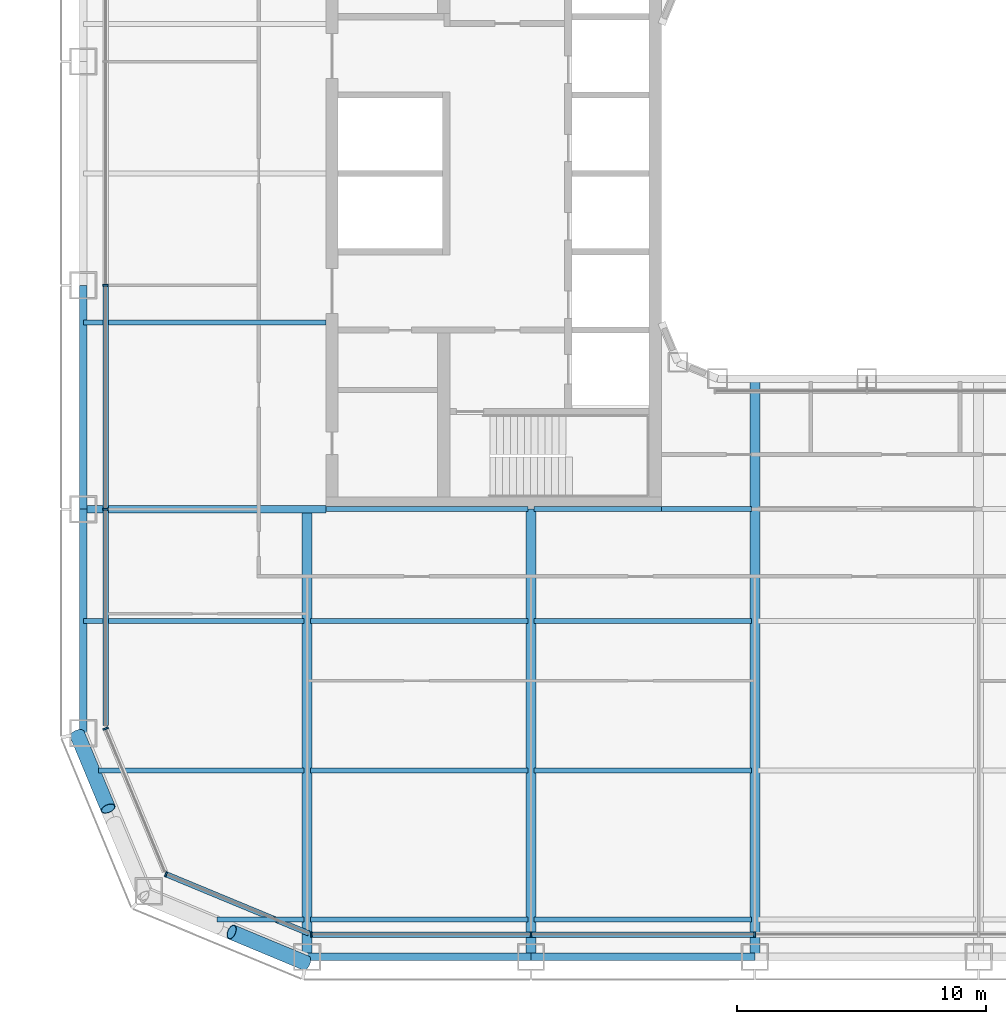
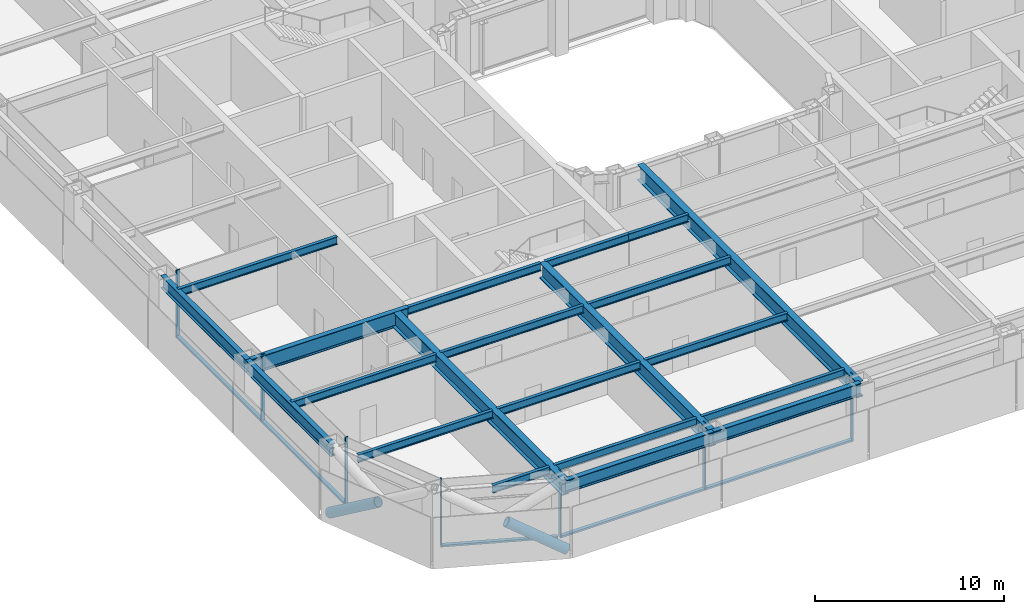
# One storey, part 2 of 28: 21 beams, 14 members, 4 elements without a shape of their own.
"""IFC4 building model written with IfcOpenShell, lengths in metres."""

from ifc_helpers import new_model, si_unit, direction, frame, origin, origin_2d, place, context, subcontext, project, spatial, rectangle, hollow_circle, i_section, extrude, material, layer, layer_set, material_profile, profile_set, type_object, element, aggregate, save


model = new_model("IFC4")

# Units and contexts
model_context = context("Model", 3, precision=1e-05, world=origin(), true_north=direction((0.0, 1.0)))
body_context = subcontext(model_context, "Body", "Model", "MODEL_VIEW")
ifc_project = project(units=[si_unit("LENGTHUNIT", "METRE"), si_unit("AREAUNIT", "SQUARE_METRE"), si_unit("VOLUMEUNIT", "CUBIC_METRE"), si_unit("PLANEANGLEUNIT", "RADIAN"), si_unit("MASSUNIT", "GRAM", prefix="KILO")], contexts=[model_context])

# Site, building, storey
site_placement = place(None, origin())
site = spatial("IfcSite", under=ifc_project, at=site_placement, CompositionType="ELEMENT")
building_placement = place(site_placement, origin())
building = spatial("IfcBuilding", under=site, at=building_placement, Name="Siwar Civic Tower", CompositionType="ELEMENT")
storey_placement = place(building_placement, frame((0.0, 0.0, 31.199951171875)))
storey = spatial("IfcBuildingStorey", under=building, at=storey_placement, Name="L06", CompositionType="ELEMENT", Elevation=31.199951171875)

# Curtain wall, members
ifc_material_1 = material(Name="Aluminium and glass", Category="aluminium")
ifc_layer_1 = layer(ifc_material_1, 0.219970703125)
ifc_layer_set_1 = layer_set([ifc_layer_1], Name="Aluminium and glass")
curtain_wall_type_1 = type_object("IfcCurtainWallType", Name="ENV-CW-A", PredefinedType="NOTDEFINED", material=ifc_layer_set_1)
curtain_wall_1_placement = place(storey_placement, origin())
curtain_wall_1 = element("IfcCurtainWall", 1, at=curtain_wall_1_placement, inside=storey, type_object=curtain_wall_type_1, Name="Curtain wall A S", PredefinedType="NOTDEFINED")
ifc_material_2 = material(Name="Aluminium 6063-T6", Category="aluminium")
ifc_material_profile_1 = material_profile(ifc_material_2, rectangle(XDim=0.219970703125, YDim=0.070068359375, at=origin_2d()), Name="AL 220x70")
ifc_profile_set_1 = profile_set([ifc_material_profile_1], Name="Aluminium 6063-T6")
member_type_1 = type_object("IfcMemberType", Name="ENV-MULLION-A", PredefinedType="MULLION", material=ifc_profile_set_1)
member_1_placement = place(storey_placement, frame((-22.321044921875, -30.60009765625, 0.0), z_axis=(0.0, 0.0, 1.0), x_axis=(0.0, 1.0, 0.0)))
member_1 = element("IfcMember", 2, at=member_1_placement, type_object=member_type_1, Name="Mullion A S 1", PredefinedType="MULLION", context=body_context, shape_type="SweptSolid", body=[
    extrude(rectangle(XDim=0.219970703125, YDim=0.070068359375, at=origin_2d()), origin(), (0.0, 0.0, 1.0), 4.35009765625),
])
member_2_placement = place(storey_placement, frame((-13.5, -30.60009765625, 0.0), z_axis=(0.0, 0.0, 1.0), x_axis=(0.0, 1.0, 0.0)))
member_2 = element("IfcMember", 3, at=member_2_placement, type_object=member_type_1, Name="Mullion A S 2", PredefinedType="MULLION", context=body_context, shape_type="SweptSolid", body=[
    extrude(rectangle(XDim=0.219970703125, YDim=0.070068359375, at=origin_2d()), origin(), (0.0, 0.0, 1.0), 4.35009765625),
])
member_3_placement = place(storey_placement, frame((-4.5, -30.60009765625, 0.0), z_axis=(0.0, 0.0, 1.0), x_axis=(0.0, 1.0, 0.0)))
member_3 = element("IfcMember", 4, at=member_3_placement, type_object=member_type_1, Name="Mullion A S 3", PredefinedType="MULLION", context=body_context, shape_type="SweptSolid", body=[
    extrude(rectangle(XDim=0.219970703125, YDim=0.070068359375, at=origin_2d()), origin(), (0.0, 0.0, 1.0), 4.35009765625),
])

curtain_wall_2_placement = place(storey_placement, origin())
curtain_wall_2 = element("IfcCurtainWall", 5, at=curtain_wall_2_placement, inside=storey, type_object=curtain_wall_type_1, Name="Curtain wall A W", PredefinedType="NOTDEFINED")
member_4_placement = place(storey_placement, frame((-30.60009765625, -4.5, 0.0), z_axis=(0.0, 0.0, 1.0), x_axis=(1.0, 0.0, 0.0)))
member_4 = element("IfcMember", 6, at=member_4_placement, type_object=member_type_1, Name="Mullion A W 4", PredefinedType="MULLION", context=body_context, shape_type="SweptSolid", body=[
    extrude(rectangle(XDim=0.219970703125, YDim=0.070068359375, at=origin_2d()), origin(), (0.0, 0.0, 1.0), 4.35009765625),
])
member_5_placement = place(storey_placement, frame((-30.60009765625, -13.5, 0.0), z_axis=(0.0, 0.0, 1.0), x_axis=(1.0, 0.0, 0.0)))
member_5 = element("IfcMember", 7, at=member_5_placement, type_object=member_type_1, Name="Mullion A W 5", PredefinedType="MULLION", context=body_context, shape_type="SweptSolid", body=[
    extrude(rectangle(XDim=0.219970703125, YDim=0.070068359375, at=origin_2d()), origin(), (0.0, 0.0, 1.0), 4.35009765625),
])

# Curtain wall, member
ifc_material_3 = material(Name="Aluminium clad insulated panel", Category="aluminium")
ifc_layer_2 = layer(ifc_material_3, 0.219970703125)
ifc_layer_set_2 = layer_set([ifc_layer_2], Name="Aluminium clad insulated panel")
curtain_wall_type_2 = type_object("IfcCurtainWallType", Name="ENV-CW-AX", PredefinedType="NOTDEFINED", material=ifc_layer_set_2)
curtain_wall_3_placement = place(storey_placement, origin())
curtain_wall_3 = element("IfcCurtainWall", 8, at=curtain_wall_3_placement, inside=storey, type_object=curtain_wall_type_2, Name="Curtain wall A SW1", PredefinedType="NOTDEFINED")
member_6_placement = place(storey_placement, frame((-30.60009765625, -22.321044921875, 0.0), z_axis=(0.0, 0.0, 1.0), x_axis=(0.923879532511, 0.382683432365, 0.0)))
member_6 = element("IfcMember", 9, at=member_6_placement, type_object=member_type_1, Name="Mullion A SW1 1", PredefinedType="MULLION", context=body_context, shape_type="SweptSolid", body=[
    extrude(rectangle(XDim=0.219970703125, YDim=0.070068359375, at=origin_2d()), origin(), (0.0, 0.0, 1.0), 4.35009765625),
])
aggregate(curtain_wall_3, [member_6])

curtain_wall_4_placement = place(storey_placement, origin())
curtain_wall_4 = element("IfcCurtainWall", 10, at=curtain_wall_4_placement, inside=storey, type_object=curtain_wall_type_2, Name="Curtain wall A SW2", PredefinedType="NOTDEFINED")
member_7_placement = place(storey_placement, frame((-28.175048828125, -28.175048828125, 0.0), z_axis=(0.0, 0.0, 1.0), x_axis=(0.382683432365, 0.923879532511, 0.0)))
member_7 = element("IfcMember", 11, at=member_7_placement, type_object=member_type_1, Name="Mullion A SW2 1", PredefinedType="MULLION", context=body_context, shape_type="SweptSolid", body=[
    extrude(rectangle(XDim=0.219970703125, YDim=0.070068359375, at=origin_2d()), origin(), (0.0, 0.0, 1.0), 4.35009765625),
])

# Member
ifc_material_4 = material(Name="Aluminium 6063-T6", Category="aluminium")
ifc_material_profile_2 = material_profile(ifc_material_4, rectangle(XDim=0.219970703125, YDim=0.1201171875, at=origin_2d()), Name="AL 220x120")
ifc_profile_set_2 = profile_set([ifc_material_profile_2], Name="Aluminium 6063-T6")
member_type_2 = type_object("IfcMemberType", Name="ENV-TRANSOM-A", PredefinedType="USERDEFINED", material=ifc_profile_set_2)
member_8_placement = place(storey_placement, frame((-22.285888671875, -30.60009765625, 0.06005859375), z_axis=(1.0, 0.0, 0.0), x_axis=(0.0, 1.0, 0.0)))
member_8 = element("IfcMember", 12, at=member_8_placement, type_object=member_type_2, Name="Transom A S 1", ObjectType="TRANSOM", PredefinedType="USERDEFINED", context=body_context, shape_type="SweptSolid", body=[
    extrude(rectangle(XDim=0.219970703125, YDim=0.1201171875, at=origin_2d()), origin(), (0.0, 0.0, 1.0), 8.7509765625),
])

member_9_placement = place(storey_placement, frame((-13.465087890625, -30.60009765625, 0.06005859375), z_axis=(1.0, 0.0, 0.0), x_axis=(0.0, 1.0, 0.0)))
member_9 = element("IfcMember", 13, at=member_9_placement, type_object=member_type_2, Name="Transom A S 2", ObjectType="TRANSOM", PredefinedType="USERDEFINED", context=body_context, shape_type="SweptSolid", body=[
    extrude(rectangle(XDim=0.219970703125, YDim=0.1201171875, at=origin_2d()), origin(), (0.0, 0.0, 1.0), 8.93017578125),
])

aggregate(curtain_wall_1, [member_1, member_2, member_3, member_8, member_9])

member_10_placement = place(storey_placement, frame((-30.60009765625, -4.534912109375, 0.06005859375), z_axis=(0.0, -1.0, 0.0), x_axis=(1.0, 0.0, 0.0)))
member_10 = element("IfcMember", 14, at=member_10_placement, type_object=member_type_2, Name="Transom A W 4", ObjectType="TRANSOM", PredefinedType="USERDEFINED", context=body_context, shape_type="SweptSolid", body=[
    extrude(rectangle(XDim=0.219970703125, YDim=0.1201171875, at=origin_2d()), origin(), (0.0, 0.0, 1.0), 8.93017578125),
])

member_11_placement = place(storey_placement, frame((-30.60009765625, -13.534912109375, 0.06005859375), z_axis=(0.0, -1.0, 0.0), x_axis=(1.0, 0.0, 0.0)))
member_11 = element("IfcMember", 15, at=member_11_placement, type_object=member_type_2, Name="Transom A W 5", ObjectType="TRANSOM", PredefinedType="USERDEFINED", context=body_context, shape_type="SweptSolid", body=[
    extrude(rectangle(XDim=0.219970703125, YDim=0.1201171875, at=origin_2d()), origin(), (0.0, 0.0, 1.0), 8.66357421875),
])

aggregate(curtain_wall_2, [member_4, member_5, member_10, member_11])

member_12_placement = place(storey_placement, frame((-28.142822265625, -28.1884765625, 0.06005859375), z_axis=(0.923873326341, -0.382698415042, 0.0), x_axis=(0.382698415042, 0.923873326341, 0.0)))
member_12 = element("IfcMember", 16, at=member_12_placement, type_object=member_type_2, Name="Transom A SW2 1", ObjectType="TRANSOM", PredefinedType="USERDEFINED", context=body_context, shape_type="SweptSolid", body=[
    extrude(rectangle(XDim=0.219970703125, YDim=0.1201171875, at=origin_2d()), origin(), (0.0, 0.0, 1.0), 6.17919921875),
])

aggregate(curtain_wall_4, [member_7, member_12])

# Members
ifc_material_5 = material(Name="Steel S355", Category="steel")
ifc_material_profile_3 = material_profile(ifc_material_5, hollow_circle(Radius=0.304931640625, WallThickness=0.030029296875, at=origin_2d()), Name="CHS610x30")
ifc_profile_set_3 = profile_set([ifc_material_profile_3], Name="Steel S355")
member_type_3 = type_object("IfcMemberType", Name="STR-BR-CHS610x30", PredefinedType="BRACE", material=ifc_profile_set_3)
for number, where, z_axis, x_axis, name in (
    (17, (-22.548828125, -31.7451171875, 0.0), (-0.777533059308, 0.323882123145, 0.539020140617), (-0.384524353215, -0.923114847559, 0.0), "L06/brc/ASW1-5-0-2"),
    (18, (-31.7451171875, -22.548828125, 0.0), (0.323882123145, -0.777533059308, 0.539020140617), (0.923114847559, 0.384524353215, 0.0), "L06/brc/ASW1-5-0-4"),
):
    element("IfcMember", number, at=place(storey_placement, frame(where, z_axis=z_axis, x_axis=x_axis)), inside=storey, type_object=member_type_3, Name=name, PredefinedType="BRACE", context=body_context, shape_type="SweptSolid", body=[
        extrude(hollow_circle(Radius=0.304931640625, WallThickness=0.030029296875, at=origin_2d()), origin(), (0.0, 0.0, 1.0), 3.843505859375),
    ])

# Beams
ifc_material_6 = material(Name="Steel S355", Category="steel")
ifc_material_profile_4 = material_profile(ifc_material_6, i_section(OverallWidth=0.199951171875, OverallDepth=0.5, WebThickness=0.01025390625, FlangeThickness=0.01611328125, FilletRadius=0.02099609375, at=origin_2d()), Name="IPE500")
ifc_profile_set_4 = profile_set([ifc_material_profile_4], Name="Steel S355")
beam_type_1 = type_object("IfcBeamType", Name="STR-FB-IPE500", PredefinedType="JOIST", material=ifc_profile_set_4)
beam_1_placement = place(storey_placement, frame((-26.121337890625, -30.0, 4.10009765625), z_axis=(1.0, 0.0, 0.0), x_axis=(0.0, 1.0, 0.0)))
element("IfcBeam", 19, at=beam_1_placement, inside=storey, type_object=beam_type_1, Name="L06/bm/F001", PredefinedType="JOIST", context=body_context, shape_type="SweptSolid", body=[
    extrude(i_section(OverallWidth=0.199951171875, OverallDepth=0.5, WebThickness=0.01025390625, FlangeThickness=0.01611328125, FilletRadius=0.02099609375, at=origin_2d()), origin(), (0.0, 0.0, 1.0), 3.491455078125),
])
for number, where, z_axis, x_axis, name in (
    (20, (-22.3701171875, -30.0, 4.10009765625), (1.0, 0.0, 0.0), (0.0, 1.0, 0.0), "L06/bm/F002"),
    (21, (-13.3701171875, -30.0, 4.10009765625), (1.0, 0.0, 0.0), (0.0, 1.0, 0.0), "L06/bm/F003"),
):
    element("IfcBeam", number, at=place(storey_placement, frame(where, z_axis=z_axis, x_axis=x_axis)), inside=storey, type_object=beam_type_1, Name=name, PredefinedType="JOIST", context=body_context, shape_type="SweptSolid", body=[
        extrude(i_section(OverallWidth=0.199951171875, OverallDepth=0.5, WebThickness=0.01025390625, FlangeThickness=0.01611328125, FilletRadius=0.02099609375, at=origin_2d()), origin(), (0.0, 0.0, 1.0), 8.740234375),
    ])
beam_2_placement = place(storey_placement, frame((-30.878662109375, -24.0, 4.10009765625), z_axis=(1.0, 0.0, 0.0), x_axis=(0.0, 1.0, 0.0)))
element("IfcBeam", 22, at=beam_2_placement, inside=storey, type_object=beam_type_1, Name="L06/bm/F008", PredefinedType="JOIST", context=body_context, shape_type="SweptSolid", body=[
    extrude(i_section(OverallWidth=0.199951171875, OverallDepth=0.5, WebThickness=0.01025390625, FlangeThickness=0.01611328125, FilletRadius=0.02099609375, at=origin_2d()), origin(), (0.0, 0.0, 1.0), 8.248779296875),
])
for number, where, z_axis, x_axis, name in (
    (23, (-22.3701171875, -24.0, 4.10009765625), (1.0, 0.0, 0.0), (0.0, 1.0, 0.0), "L06/bm/F009"),
    (24, (-13.3701171875, -24.0, 4.10009765625), (1.0, 0.0, 0.0), (0.0, 1.0, 0.0), "L06/bm/F010"),
):
    element("IfcBeam", number, at=place(storey_placement, frame(where, z_axis=z_axis, x_axis=x_axis)), inside=storey, type_object=beam_type_1, Name=name, PredefinedType="JOIST", context=body_context, shape_type="SweptSolid", body=[
        extrude(i_section(OverallWidth=0.199951171875, OverallDepth=0.5, WebThickness=0.01025390625, FlangeThickness=0.01611328125, FilletRadius=0.02099609375, at=origin_2d()), origin(), (0.0, 0.0, 1.0), 8.740234375),
    ])
beam_3_placement = place(storey_placement, frame((-31.5, -18.0, 4.10009765625), z_axis=(1.0, 0.0, 0.0), x_axis=(0.0, 1.0, 0.0)))
element("IfcBeam", 25, at=beam_3_placement, inside=storey, type_object=beam_type_1, Name="L06/bm/F015", PredefinedType="JOIST", context=body_context, shape_type="SweptSolid", body=[
    extrude(i_section(OverallWidth=0.199951171875, OverallDepth=0.5, WebThickness=0.01025390625, FlangeThickness=0.01611328125, FilletRadius=0.02099609375, at=origin_2d()), origin(), (0.0, 0.0, 1.0), 8.8701171875),
])
for number, where, z_axis, x_axis, name in (
    (26, (-22.3701171875, -18.0, 4.10009765625), (1.0, 0.0, 0.0), (0.0, 1.0, 0.0), "L06/bm/F016"),
    (27, (-13.3701171875, -18.0, 4.10009765625), (1.0, 0.0, 0.0), (0.0, 1.0, 0.0), "L06/bm/F017"),
):
    element("IfcBeam", number, at=place(storey_placement, frame(where, z_axis=z_axis, x_axis=x_axis)), inside=storey, type_object=beam_type_1, Name=name, PredefinedType="JOIST", context=body_context, shape_type="SweptSolid", body=[
        extrude(i_section(OverallWidth=0.199951171875, OverallDepth=0.5, WebThickness=0.01025390625, FlangeThickness=0.01611328125, FilletRadius=0.02099609375, at=origin_2d()), origin(), (0.0, 0.0, 1.0), 8.740234375),
    ])
beam_4_placement = place(storey_placement, frame((-21.75, -13.5, 4.10009765625), z_axis=(1.0, 0.0, 0.0), x_axis=(0.0, 1.0, 0.0)))
element("IfcBeam", 28, at=beam_4_placement, inside=storey, type_object=beam_type_1, Name="L06/bm/F023", PredefinedType="JOIST", context=body_context, shape_type="SweptSolid", body=[
    extrude(i_section(OverallWidth=0.199951171875, OverallDepth=0.5, WebThickness=0.01025390625, FlangeThickness=0.01611328125, FilletRadius=0.02099609375, at=origin_2d()), origin(), (0.0, 0.0, 1.0), 8.1201171875),
])
beam_5_placement = place(storey_placement, frame((-13.3701171875, -13.5, 4.10009765625), z_axis=(1.0, 0.0, 0.0), x_axis=(0.0, 1.0, 0.0)))
element("IfcBeam", 29, at=beam_5_placement, inside=storey, type_object=beam_type_1, Name="L06/bm/F024", PredefinedType="JOIST", context=body_context, shape_type="SweptSolid", body=[
    extrude(i_section(OverallWidth=0.199951171875, OverallDepth=0.5, WebThickness=0.01025390625, FlangeThickness=0.01611328125, FilletRadius=0.02099609375, at=origin_2d()), origin(), (0.0, 0.0, 1.0), 5.1201171875),
])
beam_6_placement = place(storey_placement, frame((-8.25, -13.5, 4.10009765625), z_axis=(1.0, 0.0, 0.0), x_axis=(0.0, 1.0, 0.0)))
element("IfcBeam", 30, at=beam_6_placement, inside=storey, type_object=beam_type_1, Name="L06/bm/F025", PredefinedType="JOIST", context=body_context, shape_type="SweptSolid", body=[
    extrude(i_section(OverallWidth=0.199951171875, OverallDepth=0.5, WebThickness=0.01025390625, FlangeThickness=0.01611328125, FilletRadius=0.02099609375, at=origin_2d()), origin(), (0.0, 0.0, 1.0), 3.6201171875),
])
beam_7_placement = place(storey_placement, frame((-31.5, -6.0, 4.10009765625), z_axis=(1.0, 0.0, 0.0), x_axis=(0.0, 1.0, 0.0)))
element("IfcBeam", 31, at=beam_7_placement, inside=storey, type_object=beam_type_1, Name="L06/bm/F031", PredefinedType="JOIST", context=body_context, shape_type="SweptSolid", body=[
    extrude(i_section(OverallWidth=0.199951171875, OverallDepth=0.5, WebThickness=0.01025390625, FlangeThickness=0.01611328125, FilletRadius=0.02099609375, at=origin_2d()), origin(), (0.0, 0.0, 1.0), 9.75),
])
ifc_material_7 = material(Name="Steel S355", Category="steel")
ifc_material_profile_5 = material_profile(ifc_material_7, i_section(OverallWidth=0.300048828125, OverallDepth=1.0, WebThickness=0.01904296875, FlangeThickness=0.035888671875, FilletRadius=0.030029296875, at=origin_2d()), Name="HEB1000")
ifc_profile_set_5 = profile_set([ifc_material_profile_5], Name="Steel S355")
beam_type_2 = type_object("IfcBeamType", Name="STR-PG-HEB1000", PredefinedType="BEAM", material=ifc_profile_set_5)
beam_8_placement = place(storey_placement, frame((-31.5, -13.5, 3.85009765625), z_axis=(1.0, 0.0, 0.0), x_axis=(0.0, 1.0, 0.0)))
element("IfcBeam", 32, at=beam_8_placement, inside=storey, type_object=beam_type_2, Name="L06/bm/F022", PredefinedType="BEAM", context=body_context, shape_type="SweptSolid", body=[
    extrude(i_section(OverallWidth=0.300048828125, OverallDepth=1.0, WebThickness=0.01904296875, FlangeThickness=0.035888671875, FilletRadius=0.030029296875, at=origin_2d()), origin(), (0.0, 0.0, 1.0), 9.75),
])
ifc_material_8 = material(Name="Steel S355", Category="steel")
ifc_material_profile_6 = material_profile(ifc_material_8, i_section(OverallWidth=0.39990234375, OverallDepth=1.0, WebThickness=0.01611328125, FlangeThickness=0.0400390625, at=origin_2d()), Name="PG1000x400x16x40")
ifc_profile_set_6 = profile_set([ifc_material_profile_6], Name="Steel S355")
beam_type_3 = type_object("IfcBeamType", Name="STR-PG-PG1000x400x16x40", PredefinedType="BEAM", material=ifc_profile_set_6)
for number, where, z_axis, x_axis, name in (
    (33, (-22.5, -31.5, 3.85009765625), (0.0, 1.0, 0.0), (-1.0, 0.0, 0.0), "L06/bm/G01"),
    (34, (-13.5, -31.5, 3.85009765625), (0.0, 1.0, 0.0), (-1.0, 0.0, 0.0), "L06/bm/G03"),
):
    element("IfcBeam", number, at=place(storey_placement, frame(where, z_axis=z_axis, x_axis=x_axis)), inside=storey, type_object=beam_type_3, Name=name, PredefinedType="BEAM", context=body_context, shape_type="SweptSolid", body=[
        extrude(i_section(OverallWidth=0.39990234375, OverallDepth=1.0, WebThickness=0.01611328125, FlangeThickness=0.0400390625, at=origin_2d()), origin(), (0.0, 0.0, 1.0), 18.0),
    ])
beam_9_placement = place(storey_placement, frame((-4.5, -31.5, 3.85009765625), z_axis=(0.0, 1.0, 0.0), x_axis=(-1.0, 0.0, 0.0)))
element("IfcBeam", 35, at=beam_9_placement, inside=storey, type_object=beam_type_3, Name="L06/bm/G05", PredefinedType="BEAM", context=body_context, shape_type="SweptSolid", body=[
    extrude(i_section(OverallWidth=0.39990234375, OverallDepth=1.0, WebThickness=0.01611328125, FlangeThickness=0.0400390625, at=origin_2d()), origin(), (0.0, 0.0, 1.0), 23.25),
])
ifc_material_9 = material(Name="Steel S355", Category="steel")
ifc_material_profile_7 = material_profile(ifc_material_9, i_section(OverallWidth=0.302978515625, OverallDepth=0.81396484375, WebThickness=0.02099609375, FlangeThickness=0.0400390625, FilletRadius=0.030029296875, at=origin_2d()), Name="HEM800")
ifc_profile_set_7 = profile_set([ifc_material_profile_7], Name="Steel S355")
beam_type_4 = type_object("IfcBeamType", Name="STR-SB-HEM800", PredefinedType="BEAM", material=ifc_profile_set_7)
for number, where, z_axis, x_axis, name in (
    (36, (-22.5, -31.5, 3.943115234375), (1.0, 0.0, 0.0), (0.0, 1.0, 0.0), "L06/bm/SS-0"),
    (37, (-13.5, -31.5, 3.943115234375), (1.0, 0.0, 0.0), (0.0, 1.0, 0.0), "L06/bm/SS-1"),
    (38, (-31.5, -4.5, 3.943115234375), (0.0, -1.0, 0.0), (1.0, 0.0, 0.0), "L06/bm/SW-3"),
    (39, (-31.5, -13.5, 3.943115234375), (0.0, -1.0, 0.0), (1.0, 0.0, 0.0), "L06/bm/SW-4"),
):
    element("IfcBeam", number, at=place(storey_placement, frame(where, z_axis=z_axis, x_axis=x_axis)), inside=storey, type_object=beam_type_4, Name=name, PredefinedType="BEAM", context=body_context, shape_type="SweptSolid", body=[
        extrude(i_section(OverallWidth=0.302978515625, OverallDepth=0.81396484375, WebThickness=0.02099609375, FlangeThickness=0.0400390625, FilletRadius=0.030029296875, at=origin_2d()), origin(), (0.0, 0.0, 1.0), 9.0),
    ])

save(model, "model.ifc")
